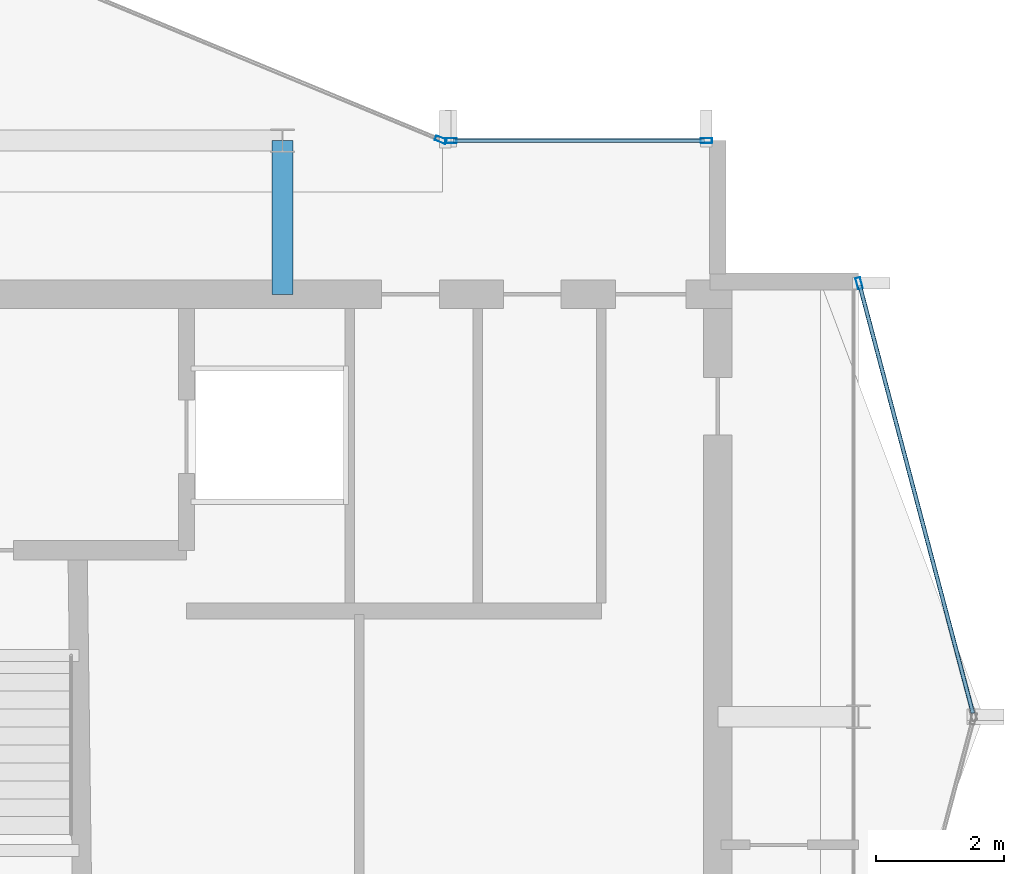
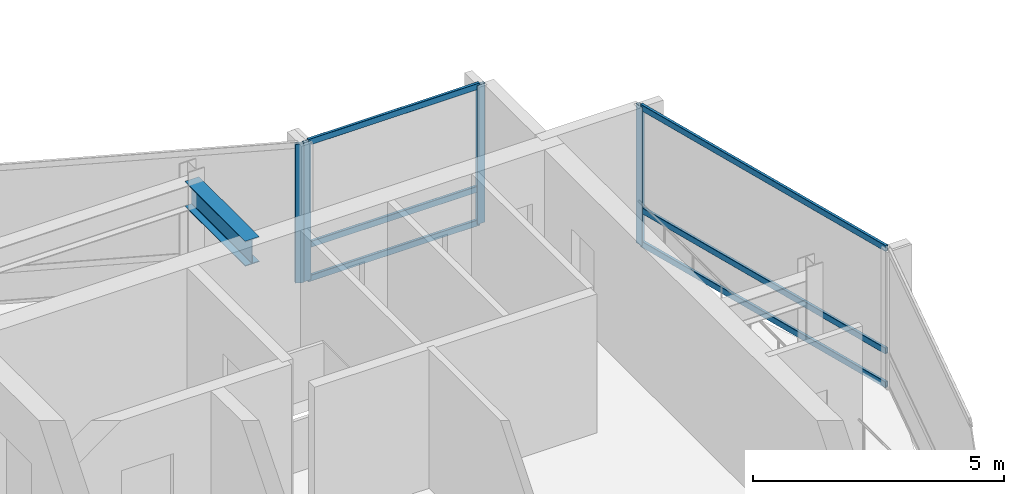
# One storey, part 10 of 19: 10 members, 1 beam, 3 elements without a shape of their own.
"""IFC4 building model written with IfcOpenShell, lengths in metres."""

import ifcopenshell
import ifcopenshell.guid

model = None  # the IFC model being written
_history = None  # IfcOwnerHistory: only IFC2X3 demands one
_inside = {}  # id of a spatial element -> (the spatial element, [elements in it])
_under = {}  # id of a project, library or spatial element -> (it, [spatial elements below it])
_declared = {}  # id of a project -> (the project, [libraries it declares])
_typed = {}  # id of a type object -> (the type object, [elements of that type])
_made_of = {}  # id of a material, layer set ... -> (it, [elements and type objects made of it])


def new_model(schema):
    """Start an empty IFC model of exactly this schema.

    Asked for "IFC4X3", IfcOpenShell would pick the latest addendum, in which some entities
    have other attributes; the version numbers below select the first issue.
    IFC2X3 requires an IfcOwnerHistory on every rooted entity: one is made here for all.
    """
    global model, _history
    if schema == "IFC4X3":
        model = ifcopenshell.file(schema_version=(4, 3, 0, 0))
    else:
        model = ifcopenshell.file(schema=schema)
    _inside.clear()
    _under.clear()
    _declared.clear()
    _typed.clear()
    _made_of.clear()
    _history = None
    if model.schema == "IFC2X3":
        org = make("IfcOrganization", Name="unknown")
        user = make(
            "IfcPersonAndOrganization",
            ThePerson=make("IfcPerson", FamilyName="unknown"),
            TheOrganization=org,
        )
        app = make(
            "IfcApplication",
            ApplicationDeveloper=org,
            Version="unknown",
            ApplicationFullName="unknown",
            ApplicationIdentifier="unknown",
        )
        _history = make(
            "IfcOwnerHistory",
            OwningUser=user,
            OwningApplication=app,
            ChangeAction="ADDED",
            CreationDate=0,
        )
    return model


def make(cls, **values):
    """One entity of the class cls with the attributes given. An attribute that is None is left unset."""
    return model.create_entity(
        cls, **{name: value for name, value in values.items() if value is not None}
    )


def rooted(cls, **values):
    """An entity with a GlobalId (a new one), such as an element, a storey or a relation."""
    return make(cls, GlobalId=ifcopenshell.guid.new(), OwnerHistory=_history, **values)


def si_unit(unit_type, name, prefix=None):
    """IfcSIUnit, for example si_unit("LENGTHUNIT", "METRE", prefix="MILLI")."""
    return make("IfcSIUnit", UnitType=unit_type, Prefix=prefix, Name=name)


def assignment(units):
    """IfcUnitAssignment: the units of a project."""
    return None if units is None else make("IfcUnitAssignment", Units=units)


def point(xyz):
    """IfcCartesianPoint."""
    return None if xyz is None else make("IfcCartesianPoint", Coordinates=xyz)


def direction(xyz):
    """IfcDirection."""
    return None if xyz is None else make("IfcDirection", DirectionRatios=xyz)


def frame(location, z_axis=None, x_axis=None):
    """IfcAxis2Placement3D, a coordinate frame: its origin and axes. An axis left out is left unset."""
    return make(
        "IfcAxis2Placement3D",
        Location=point(location),
        Axis=direction(z_axis),
        RefDirection=direction(x_axis),
    )


def frame_2d(location, x_axis=None):
    """IfcAxis2Placement2D, a coordinate frame in the plane: its origin and x axis."""
    return make(
        "IfcAxis2Placement2D", Location=point(location), RefDirection=direction(x_axis)
    )


def origin():
    """The frame at (0, 0, 0) with its axes left unset."""
    return frame((0.0, 0.0, 0.0))


def origin_2d():
    """The frame at (0, 0) in the plane with its x axis left unset."""
    return frame_2d((0.0, 0.0))


def place(relative_to, where):
    """IfcLocalPlacement: puts the frame where relative to a parent placement (None: the world)."""
    return make(
        "IfcLocalPlacement", PlacementRelTo=relative_to, RelativePlacement=where
    )


def context(
    kind, dimensions, precision=None, world=None, true_north=None, identifier=None
):
    """IfcGeometricRepresentationContext, for example the 3D "Model" context."""
    return make(
        "IfcGeometricRepresentationContext",
        ContextIdentifier=identifier,
        ContextType=kind,
        CoordinateSpaceDimension=dimensions,
        Precision=precision,
        WorldCoordinateSystem=world,
        TrueNorth=true_north,
    )


def subcontext(parent, identifier, kind, view, scale=None):
    """IfcGeometricRepresentationSubContext, for example "Body" below "Model"."""
    return make(
        "IfcGeometricRepresentationSubContext",
        ContextIdentifier=identifier,
        ContextType=kind,
        ParentContext=parent,
        TargetScale=scale,
        TargetView=view,
    )


def project(units=None, contexts=None):
    """IfcProject with its units and contexts."""
    return rooted(
        "IfcProject",
        Name="project",
        RepresentationContexts=contexts,
        UnitsInContext=assignment(units),
    )


def spatial(cls, under=None, at=None, **own):
    """A site, building, storey or space (cls), placed at a placement, below another one or the project."""
    s = rooted(cls, ObjectPlacement=at, **own)
    if under is not None:
        _under.setdefault(under.id(), (under, []))[1].append(s)
    return s


def profile(cls, at=None, kind="AREA", **sizes):
    """A parametric profile (cls). Its sizes go by their IFC names, for example OverallWidth=200.0."""
    return make(cls, ProfileType=kind, Position=at, **sizes)


def hollow_rectangle(**sizes):
    """IfcRectangleHollowProfileDef."""
    return profile("IfcRectangleHollowProfileDef", **sizes)


def i_section(**sizes):
    """IfcIShapeProfileDef."""
    return profile("IfcIShapeProfileDef", **sizes)


def extrude(swept, where, along, depth):
    """IfcExtrudedAreaSolid: the profile swept, set in the frame where, extruded along a direction by depth."""
    return make(
        "IfcExtrudedAreaSolid",
        SweptArea=swept,
        Position=where,
        ExtrudedDirection=direction(along),
        Depth=depth,
    )


def shape(context_of_items, identifier, shape_type, items):
    """IfcShapeRepresentation: the items that make up one representation, for example the "Body"."""
    return make(
        "IfcShapeRepresentation",
        ContextOfItems=context_of_items,
        RepresentationIdentifier=identifier,
        RepresentationType=shape_type,
        Items=items,
    )


def material(Name=None, Category=None):
    """IfcMaterial."""
    return make("IfcMaterial", Name=Name, Category=Category)


def layer(
    of_material, thickness, ventilated=None, Name=None, Category=None, Priority=None
):
    """IfcMaterialLayer: one layer of a wall or slab, of a material (None: an air gap)."""
    return make(
        "IfcMaterialLayer",
        Material=of_material,
        LayerThickness=thickness,
        IsVentilated=ventilated,
        Name=Name,
        Category=Category,
        Priority=Priority,
    )


def layer_set(layers, Name=None):
    """IfcMaterialLayerSet."""
    return make("IfcMaterialLayerSet", MaterialLayers=layers, LayerSetName=Name)


def material_profile(
    of_material, cross_section, Name=None, Category=None, Priority=None
):
    """IfcMaterialProfile: a cross section and its material."""
    return make(
        "IfcMaterialProfile",
        Name=Name,
        Material=of_material,
        Profile=cross_section,
        Priority=Priority,
        Category=Category,
    )


def profile_set(profiles, Name=None, composite=None):
    """IfcMaterialProfileSet."""
    return make(
        "IfcMaterialProfileSet",
        Name=Name,
        MaterialProfiles=profiles,
        CompositeProfile=composite,
    )


def made_of(thing, what):
    """Note that an element or type object is made of a material, layer set ...; save() writes the relation."""
    if what is not None:
        _made_of.setdefault(what.id(), (what, []))[1].append(thing)
    return thing


def type_object(cls, material=None, **own):
    """A type object (cls), such as IfcWallType, which elements share."""
    return made_of(rooted(cls, **own), material)


def element(
    cls,
    number,
    at=None,
    inside=None,
    cuts=None,
    type_object=None,
    material=None,
    context=None,
    identifier="Body",
    shape_type=None,
    held_by="IfcProductDefinitionShape",
    body=None,
    shapes=None,
    **own,
):
    """One element of the class cls, such as IfcWall. Its Tag is "e" and its number.

    at: its placement. inside: the storey or other place that contains it. cuts: it is an
    opening in that element (IfcRelVoidsElement). A single representation is given by context,
    identifier, shape_type and body (its items); several are given by shapes. held_by: the class
    of the entity that holds the representations. save() writes the other relations.
    """
    e = rooted(cls, Tag="e%d" % number, ObjectPlacement=at, **own)
    if body is not None:
        shapes = [shape(context, identifier, shape_type, body)]
    if shapes is not None:
        e.Representation = make(held_by, Representations=shapes)
    if inside is not None:
        _inside.setdefault(inside.id(), (inside, []))[1].append(e)
    if cuts is not None:
        rooted(
            "IfcRelVoidsElement", RelatingBuildingElement=cuts, RelatedOpeningElement=e
        )
    if type_object is not None:
        _typed.setdefault(type_object.id(), (type_object, []))[1].append(e)
    return made_of(e, material)


def aggregate(whole, parts):
    """IfcRelAggregates: a whole, such as a stair, and the parts it consists of."""
    return rooted("IfcRelAggregates", RelatingObject=whole, RelatedObjects=parts)


def save(model, path):
    """Write the relations noted so far, then the file.

    IfcRelAggregates (storeys below a building ...), IfcRelContainedInSpatialStructure (elements
    in a storey), IfcRelDefinesByType, IfcRelAssociatesMaterial and IfcRelDeclares: one each for
    every whole, place, type object, material and project.
    """
    for whole, parts in _under.values():
        aggregate(whole, parts)
    for where, things in _inside.values():
        rooted(
            "IfcRelContainedInSpatialStructure",
            RelatedElements=things,
            RelatingStructure=where,
        )
    for kind, things in _typed.values():
        rooted("IfcRelDefinesByType", RelatedObjects=things, RelatingType=kind)
    for what, things in _made_of.values():
        rooted("IfcRelAssociatesMaterial", RelatedObjects=things, RelatingMaterial=what)
    for by, libraries in _declared.values():
        rooted("IfcRelDeclares", RelatingContext=by, RelatedDefinitions=libraries)
    model.write(path)


model = new_model("IFC4")

# Units and contexts
model_context = context("Model", 3, precision=1e-05, world=origin(), true_north=direction((0.0, 1.0)))
body_context = subcontext(model_context, "Body", "Model", "MODEL_VIEW")
ifc_project = project(units=[si_unit("LENGTHUNIT", "METRE"), si_unit("AREAUNIT", "SQUARE_METRE"), si_unit("VOLUMEUNIT", "CUBIC_METRE"), si_unit("PLANEANGLEUNIT", "RADIAN"), si_unit("MASSUNIT", "GRAM", prefix="KILO")], contexts=[model_context])

# Site, building, storey
site_placement = place(None, origin())
site = spatial("IfcSite", under=ifc_project, at=site_placement, CompositionType="ELEMENT")
building_placement = place(site_placement, origin())
building = spatial("IfcBuilding", under=site, at=building_placement, Name="Solvaryn Broadcast Tower", CompositionType="ELEMENT")
storey_placement = place(building_placement, frame((0.0, 0.0, 293.699951171875)))
storey = spatial("IfcBuildingStorey", under=building, at=storey_placement, Name="L74", CompositionType="ELEMENT", Elevation=293.699951171875)

# Beam
ifc_material_1 = material(Name="Steel ASTM A992 Grade 50", Category="steel")
ifc_material_profile_1 = material_profile(ifc_material_1, i_section(OverallWidth=0.323974609375, OverallDepth=0.611083984375, WebThickness=0.0126953125, FlangeThickness=0.01904296875, FilletRadius=0.014892578125, at=origin_2d()))
ifc_profile_set_1 = profile_set([ifc_material_profile_1], Name="Steel ASTM A992 Grade 50")
beam_type = type_object("IfcBeamType", Name="BM-B1-W24X104", PredefinedType="BEAM", material=ifc_profile_set_1)
beam_placement = place(storey_placement, frame((36.0, 24.60009765625, 3.064453125), z_axis=(0.0, 1.0, 0.0), x_axis=(-1.0, 0.0, 0.0)))
element("IfcBeam", 1, at=beam_placement, inside=storey, type_object=beam_type, Name="L74 Core Tie Beam CTE2", PredefinedType="BEAM", context=body_context, shape_type="SweptSolid", body=[
    extrude(i_section(OverallWidth=0.323974609375, OverallDepth=0.611083984375, WebThickness=0.0126953125, FlangeThickness=0.01904296875, FilletRadius=0.014892578125, at=origin_2d()), origin(), (0.0, 0.0, 1.0), 2.39990234375),
])

# Curtain wall, member
ifc_material_2 = material(Name="Aluminium and Terracotta Unitised Curtain Wall", Category="masonry")
ifc_layer = layer(ifc_material_2, 0.199951171875)
ifc_layer_set = layer_set([ifc_layer], Name="CW-SYS2-LOWMID")
curtain_wall_type = type_object("IfcCurtainWallType", Name="CW-SYS2-LOWMID", PredefinedType="NOTDEFINED", material=ifc_layer_set)
curtain_wall_1_placement = place(storey_placement, origin())
curtain_wall_1 = element("IfcCurtainWall", 2, at=curtain_wall_1_placement, inside=storey, type_object=curtain_wall_type, Name="L74 Curtain Wall CN1", PredefinedType="NOTDEFINED")
ifc_material_3 = material(Name="Anodised Aluminium 6063-T6", Category="aluminium")
ifc_material_profile_2 = material_profile(ifc_material_3, hollow_rectangle(XDim=0.074951171875, YDim=0.179931640625, WallThickness=0.00390625, InnerFilletRadius=0.00390625, OuterFilletRadius=0.008056640625, at=origin_2d()))
ifc_profile_set_2 = profile_set([ifc_material_profile_2], Name="Anodised Aluminium 6063-T6")
member_type_1 = type_object("IfcMemberType", Name="CW-MUL-180", PredefinedType="MULLION", material=ifc_profile_set_2)
member_1_placement = place(storey_placement, frame((38.47216796875, 27.011474609375, 0.0), z_axis=(0.0, 0.0, 1.0), x_axis=(-0.382646127145, -0.923894983957, 0.0)))
member_1 = element("IfcMember", 3, at=member_1_placement, type_object=member_type_1, Name="CWS2 mullion 1", PredefinedType="MULLION", context=body_context, shape_type="SweptSolid", body=[
    extrude(hollow_rectangle(XDim=0.074951171875, YDim=0.179931640625, WallThickness=0.00390625, InnerFilletRadius=0.00390625, OuterFilletRadius=0.008056640625, at=origin_2d()), origin(), (0.0, 0.0, 1.0), 3.3701171875),
])
aggregate(curtain_wall_1, [member_1])

curtain_wall_2_placement = place(storey_placement, origin())
curtain_wall_2 = element("IfcCurtainWall", 4, at=curtain_wall_2_placement, inside=storey, type_object=curtain_wall_type, Name="L74 Curtain Wall ET1", PredefinedType="NOTDEFINED")
member_2_placement = place(storey_placement, frame((45.007568359375, 24.77099609375, 0.0), z_axis=(0.0, 0.0, 1.0), x_axis=(0.966705227863, 0.25589256031, 0.0)))
member_2 = element("IfcMember", 5, at=member_2_placement, type_object=member_type_1, Name="CWS2 mullion 1", PredefinedType="MULLION", context=body_context, shape_type="SweptSolid", body=[
    extrude(hollow_rectangle(XDim=0.074951171875, YDim=0.179931640625, WallThickness=0.00390625, InnerFilletRadius=0.00390625, OuterFilletRadius=0.008056640625, at=origin_2d()), origin(), (0.0, 0.0, 1.0), 3.3701171875),
])

# Curtain wall, members
curtain_wall_3_placement = place(storey_placement, origin())
curtain_wall_3 = element("IfcCurtainWall", 6, at=curtain_wall_3_placement, inside=storey, type_object=curtain_wall_type, Name="L74 Curtain Wall IH", PredefinedType="NOTDEFINED")
member_3_placement = place(storey_placement, frame((38.6298828125, 27.0, 0.0), z_axis=(0.0, 0.0, 1.0), x_axis=(0.0, 1.0, 0.0)))
member_3 = element("IfcMember", 7, at=member_3_placement, type_object=member_type_1, Name="CWS2 mullion 1", PredefinedType="MULLION", context=body_context, shape_type="SweptSolid", body=[
    extrude(hollow_rectangle(XDim=0.074951171875, YDim=0.179931640625, WallThickness=0.00390625, InnerFilletRadius=0.00390625, OuterFilletRadius=0.008056640625, at=origin_2d()), origin(), (0.0, 0.0, 1.0), 3.3701171875),
])
member_4_placement = place(storey_placement, frame((42.6201171875, 27.0, 0.0), z_axis=(0.0, 0.0, 1.0), x_axis=(0.0, 1.0, 0.0)))
member_4 = element("IfcMember", 8, at=member_4_placement, type_object=member_type_1, Name="CWS2 mullion 2", PredefinedType="MULLION", context=body_context, shape_type="SweptSolid", body=[
    extrude(hollow_rectangle(XDim=0.074951171875, YDim=0.179931640625, WallThickness=0.00390625, InnerFilletRadius=0.00390625, OuterFilletRadius=0.008056640625, at=origin_2d()), origin(), (0.0, 0.0, 1.0), 3.3701171875),
])

# Member
ifc_material_4 = material(Name="Anodised Aluminium 6063-T6", Category="aluminium")
ifc_material_profile_3 = material_profile(ifc_material_4, hollow_rectangle(XDim=0.06494140625, YDim=0.14990234375, WallThickness=0.00390625, InnerFilletRadius=0.00390625, OuterFilletRadius=0.008056640625, at=origin_2d()))
ifc_profile_set_3 = profile_set([ifc_material_profile_3], Name="Anodised Aluminium 6063-T6")
member_type_2 = type_object("IfcMemberType", Name="CW-TRN-150", PredefinedType="USERDEFINED", material=ifc_profile_set_3)
member_5_placement = place(storey_placement, frame((45.015380859375, 24.741943359375, 0.030029296875), z_axis=(0.255897413051, -0.966703943301, 0.0), x_axis=(0.966703943301, 0.255897413051, 0.0)))
member_5 = element("IfcMember", 9, at=member_5_placement, type_object=member_type_2, Name="CWS2 transom 1.1", ObjectType="TRANSOM", PredefinedType="USERDEFINED", context=body_context, shape_type="SweptSolid", body=[
    extrude(hollow_rectangle(XDim=0.06494140625, YDim=0.14990234375, WallThickness=0.00390625, InnerFilletRadius=0.00390625, OuterFilletRadius=0.008056640625, at=origin_2d()), origin(), (0.0, 0.0, 1.0), 6.9140625),
])

member_6_placement = place(storey_placement, frame((45.015380859375, 24.741943359375, 0.85009765625), z_axis=(0.255897413051, -0.966703943301, 0.0), x_axis=(0.966703943301, 0.255897413051, 0.0)))
member_6 = element("IfcMember", 10, at=member_6_placement, type_object=member_type_2, Name="CWS2 transom 1.2", ObjectType="TRANSOM", PredefinedType="USERDEFINED", context=body_context, shape_type="SweptSolid", body=[
    extrude(hollow_rectangle(XDim=0.06494140625, YDim=0.14990234375, WallThickness=0.00390625, InnerFilletRadius=0.00390625, OuterFilletRadius=0.008056640625, at=origin_2d()), origin(), (0.0, 0.0, 1.0), 6.9140625),
])

member_7_placement = place(storey_placement, frame((45.015380859375, 24.741943359375, 3.340087890625), z_axis=(0.255897413051, -0.966703943301, 0.0), x_axis=(0.966703943301, 0.255897413051, 0.0)))
member_7 = element("IfcMember", 11, at=member_7_placement, type_object=member_type_2, Name="CWS2 transom 1.3", ObjectType="TRANSOM", PredefinedType="USERDEFINED", context=body_context, shape_type="SweptSolid", body=[
    extrude(hollow_rectangle(XDim=0.06494140625, YDim=0.14990234375, WallThickness=0.00390625, InnerFilletRadius=0.00390625, OuterFilletRadius=0.008056640625, at=origin_2d()), origin(), (0.0, 0.0, 1.0), 6.9140625),
])

aggregate(curtain_wall_2, [member_2, member_5, member_6, member_7])

member_8_placement = place(storey_placement, frame((38.659912109375, 27.0, 0.030029296875), z_axis=(1.0, 0.0, 0.0), x_axis=(0.0, 1.0, 0.0)))
member_8 = element("IfcMember", 12, at=member_8_placement, type_object=member_type_2, Name="CWS2 transom 1.1", ObjectType="TRANSOM", PredefinedType="USERDEFINED", context=body_context, shape_type="SweptSolid", body=[
    extrude(hollow_rectangle(XDim=0.06494140625, YDim=0.14990234375, WallThickness=0.00390625, InnerFilletRadius=0.00390625, OuterFilletRadius=0.008056640625, at=origin_2d()), origin(), (0.0, 0.0, 1.0), 3.93017578125),
])

member_9_placement = place(storey_placement, frame((38.659912109375, 27.0, 0.85009765625), z_axis=(1.0, 0.0, 0.0), x_axis=(0.0, 1.0, 0.0)))
member_9 = element("IfcMember", 13, at=member_9_placement, type_object=member_type_2, Name="CWS2 transom 1.2", ObjectType="TRANSOM", PredefinedType="USERDEFINED", context=body_context, shape_type="SweptSolid", body=[
    extrude(hollow_rectangle(XDim=0.06494140625, YDim=0.14990234375, WallThickness=0.00390625, InnerFilletRadius=0.00390625, OuterFilletRadius=0.008056640625, at=origin_2d()), origin(), (0.0, 0.0, 1.0), 3.93017578125),
])

member_10_placement = place(storey_placement, frame((38.659912109375, 27.0, 3.340087890625), z_axis=(1.0, 0.0, 0.0), x_axis=(0.0, 1.0, 0.0)))
member_10 = element("IfcMember", 14, at=member_10_placement, type_object=member_type_2, Name="CWS2 transom 1.3", ObjectType="TRANSOM", PredefinedType="USERDEFINED", context=body_context, shape_type="SweptSolid", body=[
    extrude(hollow_rectangle(XDim=0.06494140625, YDim=0.14990234375, WallThickness=0.00390625, InnerFilletRadius=0.00390625, OuterFilletRadius=0.008056640625, at=origin_2d()), origin(), (0.0, 0.0, 1.0), 3.93017578125),
])

aggregate(curtain_wall_3, [member_3, member_4, member_8, member_9, member_10])

save(model, "model.ifc")
